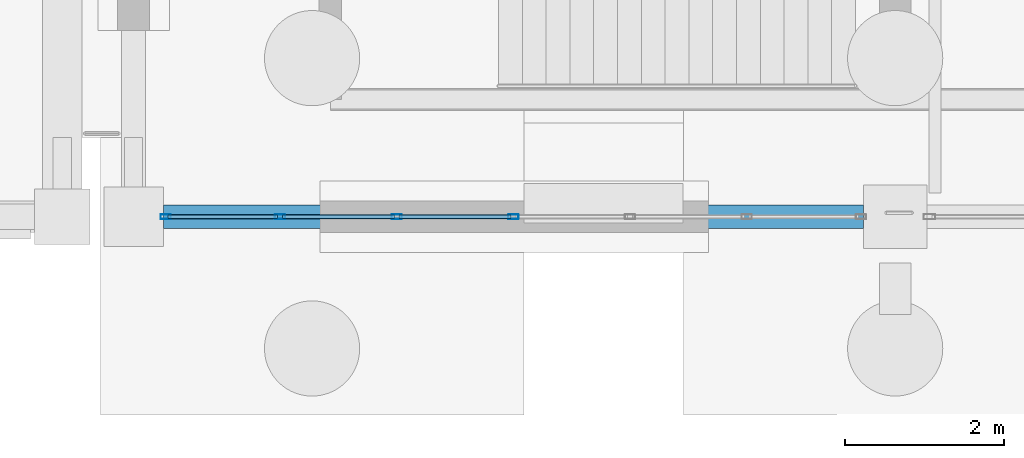
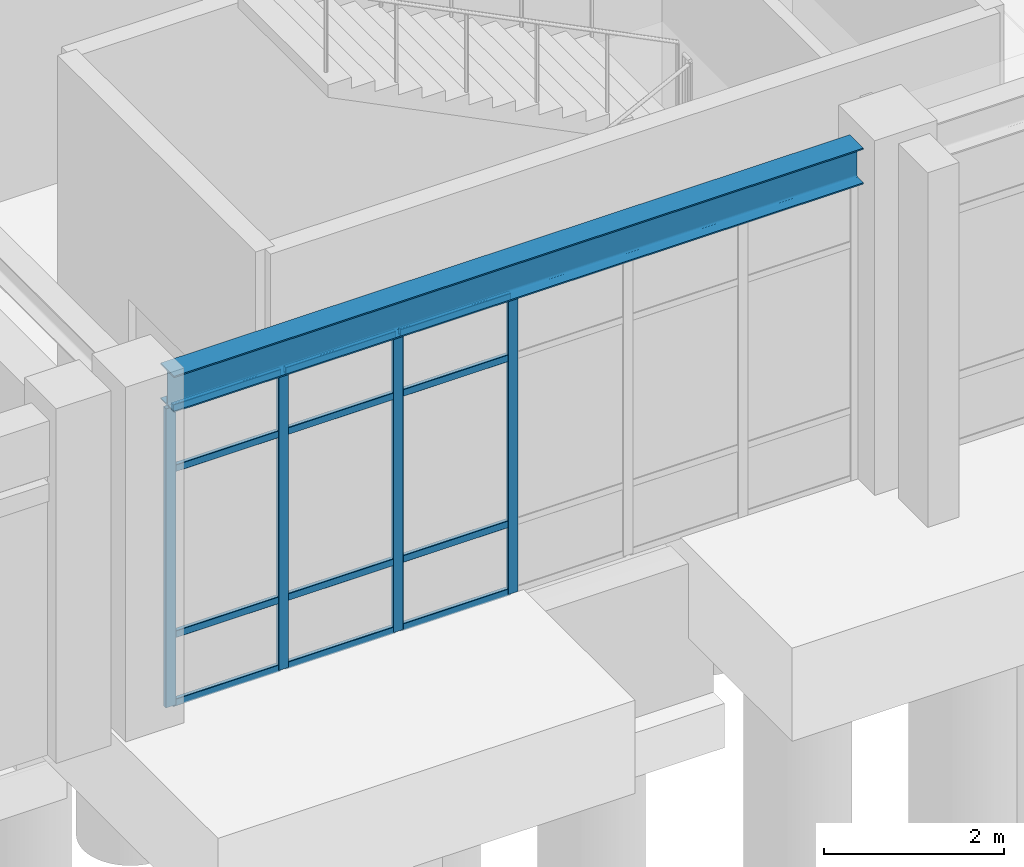
# One storey, part 42 of 111: 16 members, 1 beam, 1 element without a shape of its own.
"""IFC4 building model written with IfcOpenShell, lengths in metres."""

from ifc_helpers import new_model, si_unit, direction, frame, origin, origin_2d, place, context, subcontext, project, spatial, hollow_rectangle, i_section, extrude, material, material_profile, profile_set, type_object, element, aggregate, save


model = new_model("IFC4")

# Units and contexts
model_context = context("Model", 3, precision=1e-05, world=origin(), true_north=direction((0.0, 1.0)))
body_context = subcontext(model_context, "Body", "Model", "MODEL_VIEW")
ifc_project = project(units=[si_unit("LENGTHUNIT", "METRE"), si_unit("AREAUNIT", "SQUARE_METRE"), si_unit("VOLUMEUNIT", "CUBIC_METRE"), si_unit("PLANEANGLEUNIT", "RADIAN"), si_unit("MASSUNIT", "GRAM", prefix="KILO")], contexts=[model_context])

# Site, building, storey
site_placement = place(None, origin())
site = spatial("IfcSite", under=ifc_project, at=site_placement, CompositionType="ELEMENT")
building_placement = place(site_placement, origin())
building = spatial("IfcBuilding", under=site, at=building_placement, Name="Canglan Escarpment Cableway Terminal", CompositionType="ELEMENT")
storey_placement = place(building_placement, frame((0.0, 0.0, 4.800048828125)))
storey = spatial("IfcBuildingStorey", under=building, at=storey_placement, Name="L01", CompositionType="ELEMENT", Elevation=4.800048828125)

# Beam
ifc_material_1 = material(Name="Steel Q355B", Category="steel")
ifc_material_profile_1 = material_profile(ifc_material_1, i_section(OverallWidth=0.300048828125, OverallDepth=0.488037109375, WebThickness=0.010986328125, FlangeThickness=0.01806640625, FilletRadius=0.02587890625, at=origin_2d()), Name="HM 488x300x11x18")
ifc_profile_set_1 = profile_set([ifc_material_profile_1], Name="Steel Q355B")
beam_type = type_object("IfcBeamType", Name="BM-HM488", PredefinedType="BEAM", material=ifc_profile_set_1)
beam_placement = place(storey_placement, frame((147.574951171875, 8.0, 4.305908203125), z_axis=(1.0, 0.0, 0.0), x_axis=(0.0, 1.0, 0.0)))
element("IfcBeam", 1, at=beam_placement, inside=storey, type_object=beam_type, Name="Primary structural girder B-09", PredefinedType="BEAM", context=body_context, shape_type="SweptSolid", body=[
    extrude(i_section(OverallWidth=0.300048828125, OverallDepth=0.488037109375, WebThickness=0.010986328125, FlangeThickness=0.01806640625, FilletRadius=0.02587890625, at=origin_2d()), origin(), (0.0, 0.0, 1.0), 8.824951171875),
])

# Curtain wall, members
ifc_material_2 = material(Name="Anodized bronze aluminium and Low-E double glazing", Category="aluminium")
curtain_wall_type = type_object("IfcCurtainWallType", Name="CW-BAY-8825x4050", PredefinedType="NOTDEFINED", material=ifc_material_2)
curtain_wall_placement = place(storey_placement, origin())
curtain_wall = element("IfcCurtainWall", 2, at=curtain_wall_placement, inside=storey, type_object=curtain_wall_type, Name="Classical bay-between-piers glazed curtain wall CW-21", PredefinedType="NOTDEFINED")
ifc_material_3 = material(Name="Thermally broken anodized aluminium 6063-T6", Category="aluminium")
ifc_material_profile_2 = material_profile(ifc_material_3, hollow_rectangle(XDim=0.06005859375, YDim=0.1298828125, WallThickness=0.0029296875, InnerFilletRadius=0.0029296875, OuterFilletRadius=0.006103515625, at=origin_2d()), Name="ALU-MULL 60x130x3")
ifc_profile_set_2 = profile_set([ifc_material_profile_2], Name="Thermally broken anodized aluminium 6063-T6")
member_type_1 = type_object("IfcMemberType", Name="CWM-01", PredefinedType="MULLION", material=ifc_profile_set_2)
member_1_placement = place(storey_placement, frame((147.60498046875, 8.0, 0.0), z_axis=(0.0, 0.0, 1.0), x_axis=(0.0, 1.0, 0.0)))
member_1 = element("IfcMember", 3, at=member_1_placement, type_object=member_type_1, Name="CW-21 mullion 1", PredefinedType="MULLION", context=body_context, shape_type="SweptSolid", body=[
    extrude(hollow_rectangle(XDim=0.06005859375, YDim=0.1298828125, WallThickness=0.0029296875, InnerFilletRadius=0.0029296875, OuterFilletRadius=0.006103515625, at=origin_2d()), origin(), (0.0, 0.0, 1.0), 4.046875),
])
member_2_placement = place(storey_placement, frame((149.0458984375, 8.0, 0.0), z_axis=(0.0, 0.0, 1.0), x_axis=(0.0, 1.0, 0.0)))
member_2 = element("IfcMember", 4, at=member_2_placement, type_object=member_type_1, Name="CW-21 mullion 2", PredefinedType="MULLION", context=body_context, shape_type="SweptSolid", body=[
    extrude(hollow_rectangle(XDim=0.06005859375, YDim=0.1298828125, WallThickness=0.0029296875, InnerFilletRadius=0.0029296875, OuterFilletRadius=0.006103515625, at=origin_2d()), origin(), (0.0, 0.0, 1.0), 4.046875),
])
member_3_placement = place(storey_placement, frame((150.5166015625, 8.0, 0.0), z_axis=(0.0, 0.0, 1.0), x_axis=(0.0, 1.0, 0.0)))
member_3 = element("IfcMember", 5, at=member_3_placement, type_object=member_type_1, Name="CW-21 mullion 3", PredefinedType="MULLION", context=body_context, shape_type="SweptSolid", body=[
    extrude(hollow_rectangle(XDim=0.06005859375, YDim=0.1298828125, WallThickness=0.0029296875, InnerFilletRadius=0.0029296875, OuterFilletRadius=0.006103515625, at=origin_2d()), origin(), (0.0, 0.0, 1.0), 4.046875),
])
member_4_placement = place(storey_placement, frame((151.987548828125, 8.0, 0.0), z_axis=(0.0, 0.0, 1.0), x_axis=(0.0, 1.0, 0.0)))
member_4 = element("IfcMember", 6, at=member_4_placement, type_object=member_type_1, Name="CW-21 mullion 4", PredefinedType="MULLION", context=body_context, shape_type="SweptSolid", body=[
    extrude(hollow_rectangle(XDim=0.06005859375, YDim=0.1298828125, WallThickness=0.0029296875, InnerFilletRadius=0.0029296875, OuterFilletRadius=0.006103515625, at=origin_2d()), origin(), (0.0, 0.0, 1.0), 4.046875),
])
ifc_material_profile_3 = material_profile(ifc_material_3, hollow_rectangle(XDim=0.054931640625, YDim=0.094970703125, WallThickness=0.0029296875, InnerFilletRadius=0.0029296875, OuterFilletRadius=0.006103515625, at=origin_2d()), Name="ALU-TRAN 55x95x3")
ifc_profile_set_3 = profile_set([ifc_material_profile_3], Name="Thermally broken anodized aluminium 6063-T6")
member_type_2 = type_object("IfcMemberType", Name="CWT-01", PredefinedType="USERDEFINED", material=ifc_profile_set_3)
member_5_placement = place(storey_placement, frame((147.635009765625, 8.0, 0.02734375), z_axis=(1.0, 0.0, 0.0), x_axis=(0.0, 1.0, 0.0)))
member_5 = element("IfcMember", 7, at=member_5_placement, type_object=member_type_2, Name="CW-21 transom 1.1", ObjectType="TRANSOM", PredefinedType="USERDEFINED", context=body_context, shape_type="SweptSolid", body=[
    extrude(hollow_rectangle(XDim=0.054931640625, YDim=0.094970703125, WallThickness=0.0029296875, InnerFilletRadius=0.0029296875, OuterFilletRadius=0.006103515625, at=origin_2d()), origin(), (0.0, 0.0, 1.0), 1.380859375),
])
member_6_placement = place(storey_placement, frame((147.635009765625, 8.0, 0.949951171875), z_axis=(1.0, 0.0, 0.0), x_axis=(0.0, 1.0, 0.0)))
member_6 = element("IfcMember", 8, at=member_6_placement, type_object=member_type_2, Name="CW-21 transom 1.2", ObjectType="TRANSOM", PredefinedType="USERDEFINED", context=body_context, shape_type="SweptSolid", body=[
    extrude(hollow_rectangle(XDim=0.054931640625, YDim=0.094970703125, WallThickness=0.0029296875, InnerFilletRadius=0.0029296875, OuterFilletRadius=0.006103515625, at=origin_2d()), origin(), (0.0, 0.0, 1.0), 1.380859375),
])
member_7_placement = place(storey_placement, frame((147.635009765625, 8.0, 3.197021484375), z_axis=(1.0, 0.0, 0.0), x_axis=(0.0, 1.0, 0.0)))
member_7 = element("IfcMember", 9, at=member_7_placement, type_object=member_type_2, Name="CW-21 transom 1.3", ObjectType="TRANSOM", PredefinedType="USERDEFINED", context=body_context, shape_type="SweptSolid", body=[
    extrude(hollow_rectangle(XDim=0.054931640625, YDim=0.094970703125, WallThickness=0.0029296875, InnerFilletRadius=0.0029296875, OuterFilletRadius=0.006103515625, at=origin_2d()), origin(), (0.0, 0.0, 1.0), 1.380859375),
])
member_8_placement = place(storey_placement, frame((147.635009765625, 8.0, 4.01953125), z_axis=(1.0, 0.0, 0.0), x_axis=(0.0, 1.0, 0.0)))
member_8 = element("IfcMember", 10, at=member_8_placement, type_object=member_type_2, Name="CW-21 transom 1.4", ObjectType="TRANSOM", PredefinedType="USERDEFINED", context=body_context, shape_type="SweptSolid", body=[
    extrude(hollow_rectangle(XDim=0.054931640625, YDim=0.094970703125, WallThickness=0.0029296875, InnerFilletRadius=0.0029296875, OuterFilletRadius=0.006103515625, at=origin_2d()), origin(), (0.0, 0.0, 1.0), 1.380859375),
])
member_9_placement = place(storey_placement, frame((149.075927734375, 8.0, 0.02734375), z_axis=(1.0, 0.0, 0.0), x_axis=(0.0, 1.0, 0.0)))
member_9 = element("IfcMember", 11, at=member_9_placement, type_object=member_type_2, Name="CW-21 transom 2.1", ObjectType="TRANSOM", PredefinedType="USERDEFINED", context=body_context, shape_type="SweptSolid", body=[
    extrude(hollow_rectangle(XDim=0.054931640625, YDim=0.094970703125, WallThickness=0.0029296875, InnerFilletRadius=0.0029296875, OuterFilletRadius=0.006103515625, at=origin_2d()), origin(), (0.0, 0.0, 1.0), 1.41064453125),
])
member_10_placement = place(storey_placement, frame((149.075927734375, 8.0, 0.949951171875), z_axis=(1.0, 0.0, 0.0), x_axis=(0.0, 1.0, 0.0)))
member_10 = element("IfcMember", 12, at=member_10_placement, type_object=member_type_2, Name="CW-21 transom 2.2", ObjectType="TRANSOM", PredefinedType="USERDEFINED", context=body_context, shape_type="SweptSolid", body=[
    extrude(hollow_rectangle(XDim=0.054931640625, YDim=0.094970703125, WallThickness=0.0029296875, InnerFilletRadius=0.0029296875, OuterFilletRadius=0.006103515625, at=origin_2d()), origin(), (0.0, 0.0, 1.0), 1.41064453125),
])
member_11_placement = place(storey_placement, frame((149.075927734375, 8.0, 3.197021484375), z_axis=(1.0, 0.0, 0.0), x_axis=(0.0, 1.0, 0.0)))
member_11 = element("IfcMember", 13, at=member_11_placement, type_object=member_type_2, Name="CW-21 transom 2.3", ObjectType="TRANSOM", PredefinedType="USERDEFINED", context=body_context, shape_type="SweptSolid", body=[
    extrude(hollow_rectangle(XDim=0.054931640625, YDim=0.094970703125, WallThickness=0.0029296875, InnerFilletRadius=0.0029296875, OuterFilletRadius=0.006103515625, at=origin_2d()), origin(), (0.0, 0.0, 1.0), 1.41064453125),
])
member_12_placement = place(storey_placement, frame((149.075927734375, 8.0, 4.01953125), z_axis=(1.0, 0.0, 0.0), x_axis=(0.0, 1.0, 0.0)))
member_12 = element("IfcMember", 14, at=member_12_placement, type_object=member_type_2, Name="CW-21 transom 2.4", ObjectType="TRANSOM", PredefinedType="USERDEFINED", context=body_context, shape_type="SweptSolid", body=[
    extrude(hollow_rectangle(XDim=0.054931640625, YDim=0.094970703125, WallThickness=0.0029296875, InnerFilletRadius=0.0029296875, OuterFilletRadius=0.006103515625, at=origin_2d()), origin(), (0.0, 0.0, 1.0), 1.41064453125),
])
member_13_placement = place(storey_placement, frame((150.546630859375, 8.0, 0.02734375), z_axis=(1.0, 0.0, 0.0), x_axis=(0.0, 1.0, 0.0)))
member_13 = element("IfcMember", 15, at=member_13_placement, type_object=member_type_2, Name="CW-21 transom 3.1", ObjectType="TRANSOM", PredefinedType="USERDEFINED", context=body_context, shape_type="SweptSolid", body=[
    extrude(hollow_rectangle(XDim=0.054931640625, YDim=0.094970703125, WallThickness=0.0029296875, InnerFilletRadius=0.0029296875, OuterFilletRadius=0.006103515625, at=origin_2d()), origin(), (0.0, 0.0, 1.0), 1.410888671875),
])
member_14_placement = place(storey_placement, frame((150.546630859375, 8.0, 0.949951171875), z_axis=(1.0, 0.0, 0.0), x_axis=(0.0, 1.0, 0.0)))
member_14 = element("IfcMember", 16, at=member_14_placement, type_object=member_type_2, Name="CW-21 transom 3.2", ObjectType="TRANSOM", PredefinedType="USERDEFINED", context=body_context, shape_type="SweptSolid", body=[
    extrude(hollow_rectangle(XDim=0.054931640625, YDim=0.094970703125, WallThickness=0.0029296875, InnerFilletRadius=0.0029296875, OuterFilletRadius=0.006103515625, at=origin_2d()), origin(), (0.0, 0.0, 1.0), 1.410888671875),
])
member_15_placement = place(storey_placement, frame((150.546630859375, 8.0, 3.197021484375), z_axis=(1.0, 0.0, 0.0), x_axis=(0.0, 1.0, 0.0)))
member_15 = element("IfcMember", 17, at=member_15_placement, type_object=member_type_2, Name="CW-21 transom 3.3", ObjectType="TRANSOM", PredefinedType="USERDEFINED", context=body_context, shape_type="SweptSolid", body=[
    extrude(hollow_rectangle(XDim=0.054931640625, YDim=0.094970703125, WallThickness=0.0029296875, InnerFilletRadius=0.0029296875, OuterFilletRadius=0.006103515625, at=origin_2d()), origin(), (0.0, 0.0, 1.0), 1.410888671875),
])
member_16_placement = place(storey_placement, frame((150.546630859375, 8.0, 4.01953125), z_axis=(1.0, 0.0, 0.0), x_axis=(0.0, 1.0, 0.0)))
member_16 = element("IfcMember", 18, at=member_16_placement, type_object=member_type_2, Name="CW-21 transom 3.4", ObjectType="TRANSOM", PredefinedType="USERDEFINED", context=body_context, shape_type="SweptSolid", body=[
    extrude(hollow_rectangle(XDim=0.054931640625, YDim=0.094970703125, WallThickness=0.0029296875, InnerFilletRadius=0.0029296875, OuterFilletRadius=0.006103515625, at=origin_2d()), origin(), (0.0, 0.0, 1.0), 1.410888671875),
])
aggregate(curtain_wall, [member_1, member_2, member_3, member_4, member_5, member_6, member_7, member_8, member_9, member_10, member_11, member_12, member_13, member_14, member_15, member_16])

save(model, "model.ifc")
